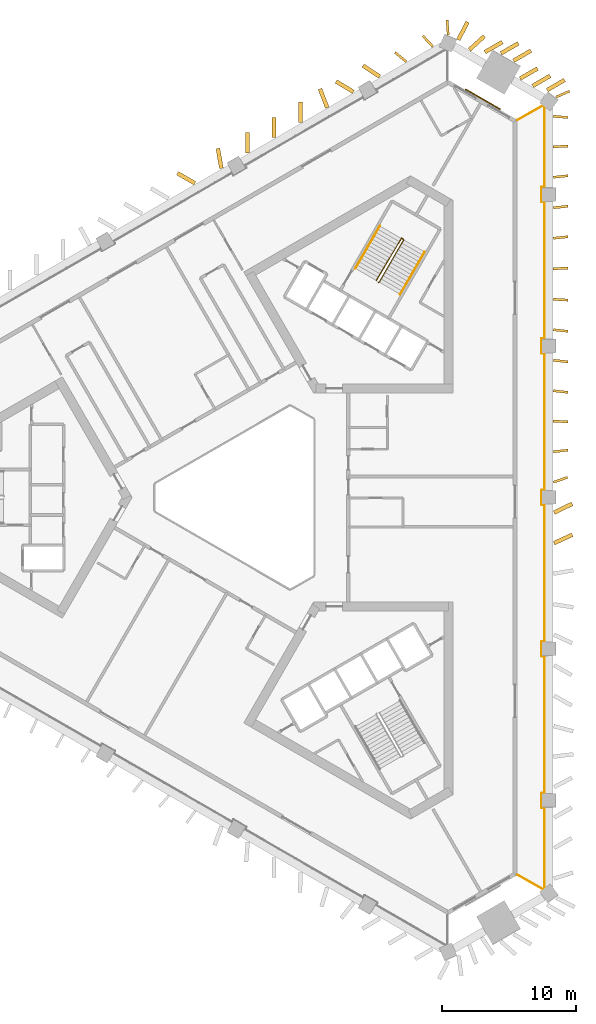
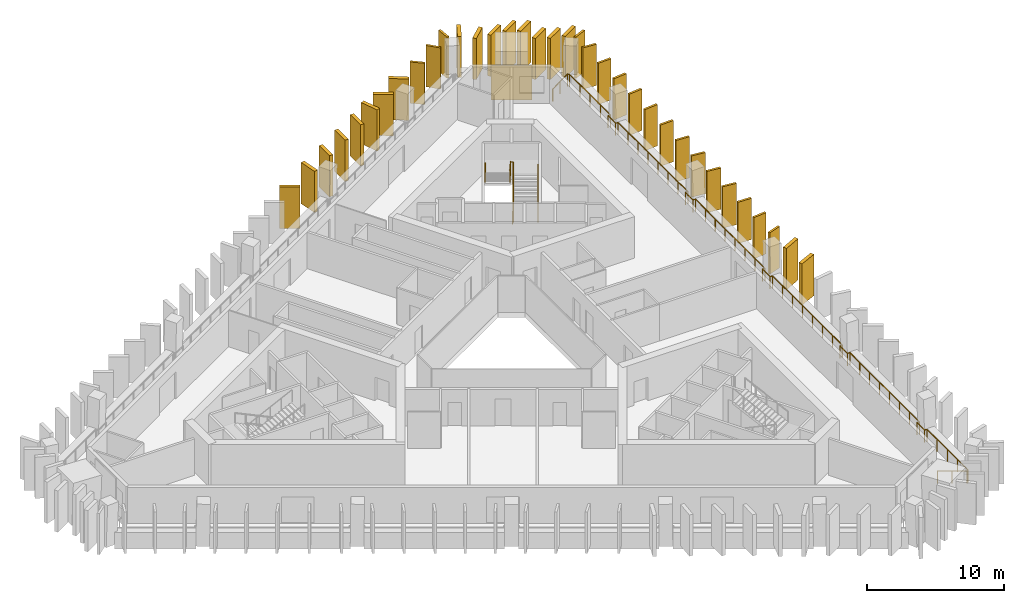
# One storey, part 9 of 9: 35 shading devices, 4 railings, 1 covering.
"""IFC4 building model written with IfcOpenShell, lengths in metres."""

from ifc_helpers import new_model, si_unit, direction, frame, frame_2d, origin, origin_2d, place, context, subcontext, project, spatial, rectangle, circle, extrude, material, layer, layer_set, type_object, element, save


model = new_model("IFC4")

# Units and contexts
model_context = context("Model", 3, precision=1e-05, world=origin(), true_north=direction((0.0, 1.0)))
body_context = subcontext(model_context, "Body", "Model", "MODEL_VIEW")
ifc_project = project(units=[si_unit("LENGTHUNIT", "METRE"), si_unit("AREAUNIT", "SQUARE_METRE"), si_unit("VOLUMEUNIT", "CUBIC_METRE"), si_unit("PLANEANGLEUNIT", "RADIAN"), si_unit("MASSUNIT", "GRAM", prefix="KILO")], contexts=[model_context])

# Site, building, storey
site_placement = place(None, origin())
site = spatial("IfcSite", under=ifc_project, at=site_placement, CompositionType="ELEMENT")
building_placement = place(site_placement, origin())
building = spatial("IfcBuilding", under=site, at=building_placement, Name="Jabali Bay Hotel Tower and Convention Centre", CompositionType="ELEMENT")
storey_placement = place(building_placement, frame((0.0, 0.0, 129.0)))
storey = spatial("IfcBuildingStorey", under=building, at=storey_placement, Name="L31", CompositionType="ELEMENT", Elevation=129.0)

# Railing
ifc_material_1 = material(Name="Glass", Category="glass")
railing_type_1 = type_object("IfcRailingType", Name="Loggia glass guard 1100", PredefinedType="BALUSTRADE", material=ifc_material_1)
railing_1_placement = place(storey_placement, frame((94.701416015625, 108.09716796875, 0.0)))
element("IfcRailing", 1, at=railing_1_placement, inside=storey, type_object=railing_type_1, Name="Loggia glass guard L31", PredefinedType="BALUSTRADE", context=body_context, shape_type="SweptSolid", body=[
    extrude(circle(Radius=0.02490234375, at=origin_2d()), frame((0.0, 0.0, 1.0751953125), z_axis=(0.866027848477, 0.499995765644, 0.0), x_axis=(-0.495718232557, 0.858618860179, 0.13052619222)), (0.0, 0.0, 1.0), 2.1650390625),
    extrude(circle(Radius=0.02490234375, at=origin_2d()), frame((1.875, 1.08251953125, 1.0751953125), z_axis=(0.80150030368, -0.597994367199, 0.0), x_axis=(0.59287844249, 0.794643357473, 0.13052619222)), (0.0, 0.0, 1.0), 0.156005859375),
    extrude(circle(Radius=0.02490234375, at=origin_2d()), frame((2.0, 0.9892578125, 1.0751953125), z_axis=(0.0, -1.0, 0.0), x_axis=(0.991444861374, 0.0, 0.13052619222)), (0.0, 0.0, 1.0), 5.968017578125),
    extrude(circle(Radius=0.02490234375, at=origin_2d()), frame((2.0, -4.978759765625, 1.0751953125), z_axis=(-1.0, 0.0, 0.0), x_axis=(0.0, -0.991444861374, 0.13052619222)), (0.0, 0.0, 1.0), 0.2001953125),
    extrude(circle(Radius=0.02490234375, at=origin_2d()), frame((1.7998046875, -4.978759765625, 1.0751953125), z_axis=(0.0, -1.0, 0.0), x_axis=(0.991444861374, 0.0, 0.13052619222)), (0.0, 0.0, 1.0), 1.099853515625),
    extrude(circle(Radius=0.02490234375, at=origin_2d()), frame((1.7998046875, -6.07861328125, 1.0751953125), z_axis=(1.0, 0.0, 0.0), x_axis=(0.0, 0.991444861374, 0.13052619222)), (0.0, 0.0, 1.0), 0.2001953125),
    extrude(circle(Radius=0.02490234375, at=origin_2d()), frame((2.0, -6.07861328125, 1.0751953125), z_axis=(0.0, -1.0, 0.0), x_axis=(0.991444861374, 0.0, 0.13052619222)), (0.0, 0.0, 1.0), 10.184326171875),
    extrude(circle(Radius=0.02490234375, at=origin_2d()), frame((2.0, -16.262939453125, 1.0751953125), z_axis=(-1.0, 0.0, 0.0), x_axis=(0.0, -0.991444861374, 0.13052619222)), (0.0, 0.0, 1.0), 0.2001953125),
    extrude(circle(Radius=0.02490234375, at=origin_2d()), frame((1.7998046875, -16.262939453125, 1.0751953125), z_axis=(0.0, -1.0, 0.0), x_axis=(0.991444861374, 0.0, 0.13052619222)), (0.0, 0.0, 1.0), 1.099853515625),
    extrude(circle(Radius=0.02490234375, at=origin_2d()), frame((1.7998046875, -17.36279296875, 1.0751953125), z_axis=(1.0, 0.0, 0.0), x_axis=(0.0, 0.991444861374, 0.13052619222)), (0.0, 0.0, 1.0), 0.2001953125),
    extrude(circle(Radius=0.02490234375, at=origin_2d()), frame((2.0, -17.36279296875, 1.0751953125), z_axis=(0.0, -1.0, 0.0), x_axis=(0.991444861374, 0.0, 0.13052619222)), (0.0, 0.0, 1.0), 10.184326171875),
    extrude(circle(Radius=0.02490234375, at=origin_2d()), frame((2.0, -27.547119140625, 1.0751953125), z_axis=(-1.0, 0.0, 0.0), x_axis=(0.0, -0.991444861374, 0.13052619222)), (0.0, 0.0, 1.0), 0.2001953125),
    extrude(circle(Radius=0.02490234375, at=origin_2d()), frame((1.7998046875, -27.547119140625, 1.0751953125), z_axis=(0.0, -1.0, 0.0), x_axis=(0.991444861374, 0.0, 0.13052619222)), (0.0, 0.0, 1.0), 1.10009765625),
    extrude(circle(Radius=0.02490234375, at=origin_2d()), frame((1.7998046875, -28.647216796875, 1.0751953125), z_axis=(1.0, 0.0, 0.0), x_axis=(0.0, 0.991444861374, 0.13052619222)), (0.0, 0.0, 1.0), 0.2001953125),
    extrude(circle(Radius=0.02490234375, at=origin_2d()), frame((2.0, -28.647216796875, 1.0751953125), z_axis=(0.0, -1.0, 0.0), x_axis=(0.991444861374, 0.0, 0.13052619222)), (0.0, 0.0, 1.0), 10.184326171875),
    extrude(circle(Radius=0.02490234375, at=origin_2d()), frame((2.0, -38.83154296875, 1.0751953125), z_axis=(-1.0, 0.0, 0.0), x_axis=(0.0, -0.991444861374, 0.13052619222)), (0.0, 0.0, 1.0), 0.2001953125),
    extrude(circle(Radius=0.02490234375, at=origin_2d()), frame((1.7998046875, -38.83154296875, 1.0751953125), z_axis=(0.0, -1.0, 0.0), x_axis=(0.991444861374, 0.0, 0.13052619222)), (0.0, 0.0, 1.0), 1.099853515625),
    extrude(circle(Radius=0.02490234375, at=origin_2d()), frame((1.7998046875, -39.931396484375, 1.0751953125), z_axis=(1.0, 0.0, 0.0), x_axis=(0.0, 0.991444861374, 0.13052619222)), (0.0, 0.0, 1.0), 0.2001953125),
    extrude(circle(Radius=0.02490234375, at=origin_2d()), frame((2.0, -39.931396484375, 1.0751953125), z_axis=(0.0, -1.0, 0.0), x_axis=(0.991444861374, 0.0, 0.13052619222)), (0.0, 0.0, 1.0), 10.184326171875),
    extrude(circle(Radius=0.02490234375, at=origin_2d()), frame((2.0, -50.11572265625, 1.0751953125), z_axis=(-1.0, 0.0, 0.0), x_axis=(0.0, -0.991444861374, 0.13052619222)), (0.0, 0.0, 1.0), 0.2001953125),
    extrude(circle(Radius=0.02490234375, at=origin_2d()), frame((1.7998046875, -50.11572265625, 1.0751953125), z_axis=(0.0, -1.0, 0.0), x_axis=(0.991444861374, 0.0, 0.13052619222)), (0.0, 0.0, 1.0), 1.099853515625),
    extrude(circle(Radius=0.02490234375, at=origin_2d()), frame((1.7998046875, -51.215576171875, 1.0751953125), z_axis=(1.0, 0.0, 0.0), x_axis=(0.0, 0.991444861374, 0.13052619222)), (0.0, 0.0, 1.0), 0.2001953125),
    extrude(circle(Radius=0.02490234375, at=origin_2d()), frame((2.0, -51.215576171875, 1.0751953125), z_axis=(0.0, -1.0, 0.0), x_axis=(0.991444861374, 0.0, 0.13052619222)), (0.0, 0.0, 1.0), 5.968017578125),
    extrude(circle(Radius=0.02490234375, at=origin_2d()), frame((2.0, -57.18359375, 1.0751953125), z_axis=(-0.80150030368, -0.597994367199, 0.0), x_axis=(0.59287844249, -0.794643357473, 0.13052619222)), (0.0, 0.0, 1.0), 0.156005859375),
    extrude(circle(Radius=0.02490234375, at=origin_2d()), frame((1.875, -57.27685546875, 1.0751953125), z_axis=(-0.866027848477, 0.499995765644, 0.0), x_axis=(-0.495718232557, -0.858618860179, 0.13052619222)), (0.0, 0.0, 1.0), 2.1650390625),
    extrude(circle(Radius=0.02001953125, at=origin_2d()), origin(), (0.0, 0.0, 1.0), 1.050048828125),
    extrude(circle(Radius=0.02001953125, at=origin_2d()), frame((0.9375, 0.541259765625, 0.0)), (0.0, 0.0, 1.0), 1.050048828125),
    extrude(circle(Radius=0.02001953125, at=origin_2d()), frame((1.875, 1.08251953125, 0.0)), (0.0, 0.0, 1.0), 1.050048828125),
    extrude(circle(Radius=0.02001953125, at=origin_2d()), frame((2.0, 0.9892578125, 0.0)), (0.0, 0.0, 1.0), 1.050048828125),
    extrude(circle(Radius=0.02001953125, at=origin_2d()), frame((2.0, -0.502685546875, 0.0)), (0.0, 0.0, 1.0), 1.050048828125),
    extrude(circle(Radius=0.02001953125, at=origin_2d()), frame((2.0, -1.99462890625, 0.0)), (0.0, 0.0, 1.0), 1.050048828125),
    extrude(circle(Radius=0.02001953125, at=origin_2d()), frame((2.0, -3.48681640625, 0.0)), (0.0, 0.0, 1.0), 1.050048828125),
    extrude(circle(Radius=0.02001953125, at=origin_2d()), frame((2.0, -4.978759765625, 0.0)), (0.0, 0.0, 1.0), 1.050048828125),
    extrude(circle(Radius=0.02001953125, at=origin_2d()), frame((1.7998046875, -4.978759765625, 0.0)), (0.0, 0.0, 1.0), 1.050048828125),
    extrude(circle(Radius=0.02001953125, at=origin_2d()), frame((1.7998046875, -6.07861328125, 0.0)), (0.0, 0.0, 1.0), 1.050048828125),
    extrude(circle(Radius=0.02001953125, at=origin_2d()), frame((2.0, -6.07861328125, 0.0)), (0.0, 0.0, 1.0), 1.050048828125),
    extrude(circle(Radius=0.02001953125, at=origin_2d()), frame((2.0, -7.533447265625, 0.0)), (0.0, 0.0, 1.0), 1.050048828125),
    extrude(circle(Radius=0.02001953125, at=origin_2d()), frame((2.0, -8.988525390625, 0.0)), (0.0, 0.0, 1.0), 1.050048828125),
    extrude(circle(Radius=0.02001953125, at=origin_2d()), frame((2.0, -10.443359375, 0.0)), (0.0, 0.0, 1.0), 1.050048828125),
    extrude(circle(Radius=0.02001953125, at=origin_2d()), frame((2.0, -11.898193359375, 0.0)), (0.0, 0.0, 1.0), 1.050048828125),
    extrude(circle(Radius=0.02001953125, at=origin_2d()), frame((2.0, -13.35302734375, 0.0)), (0.0, 0.0, 1.0), 1.050048828125),
    extrude(circle(Radius=0.02001953125, at=origin_2d()), frame((2.0, -14.80810546875, 0.0)), (0.0, 0.0, 1.0), 1.050048828125),
    extrude(circle(Radius=0.02001953125, at=origin_2d()), frame((2.0, -16.262939453125, 0.0)), (0.0, 0.0, 1.0), 1.050048828125),
    extrude(circle(Radius=0.02001953125, at=origin_2d()), frame((1.7998046875, -16.262939453125, 0.0)), (0.0, 0.0, 1.0), 1.050048828125),
    extrude(circle(Radius=0.02001953125, at=origin_2d()), frame((1.7998046875, -17.36279296875, 0.0)), (0.0, 0.0, 1.0), 1.050048828125),
    extrude(circle(Radius=0.02001953125, at=origin_2d()), frame((2.0, -17.36279296875, 0.0)), (0.0, 0.0, 1.0), 1.050048828125),
    extrude(circle(Radius=0.02001953125, at=origin_2d()), frame((2.0, -18.817626953125, 0.0)), (0.0, 0.0, 1.0), 1.050048828125),
    extrude(circle(Radius=0.02001953125, at=origin_2d()), frame((2.0, -20.272705078125, 0.0)), (0.0, 0.0, 1.0), 1.050048828125),
    extrude(circle(Radius=0.02001953125, at=origin_2d()), frame((2.0, -21.7275390625, 0.0)), (0.0, 0.0, 1.0), 1.050048828125),
    extrude(circle(Radius=0.02001953125, at=origin_2d()), frame((2.0, -23.182373046875, 0.0)), (0.0, 0.0, 1.0), 1.050048828125),
    extrude(circle(Radius=0.02001953125, at=origin_2d()), frame((2.0, -24.63720703125, 0.0)), (0.0, 0.0, 1.0), 1.050048828125),
    extrude(circle(Radius=0.02001953125, at=origin_2d()), frame((2.0, -26.09228515625, 0.0)), (0.0, 0.0, 1.0), 1.050048828125),
    extrude(circle(Radius=0.02001953125, at=origin_2d()), frame((2.0, -27.547119140625, 0.0)), (0.0, 0.0, 1.0), 1.050048828125),
    extrude(circle(Radius=0.02001953125, at=origin_2d()), frame((1.7998046875, -27.547119140625, 0.0)), (0.0, 0.0, 1.0), 1.050048828125),
    extrude(circle(Radius=0.02001953125, at=origin_2d()), frame((1.7998046875, -28.647216796875, 0.0)), (0.0, 0.0, 1.0), 1.050048828125),
    extrude(circle(Radius=0.02001953125, at=origin_2d()), frame((2.0, -28.647216796875, 0.0)), (0.0, 0.0, 1.0), 1.050048828125),
    extrude(circle(Radius=0.02001953125, at=origin_2d()), frame((2.0, -30.10205078125, 0.0)), (0.0, 0.0, 1.0), 1.050048828125),
    extrude(circle(Radius=0.02001953125, at=origin_2d()), frame((2.0, -31.55712890625, 0.0)), (0.0, 0.0, 1.0), 1.050048828125),
    extrude(circle(Radius=0.02001953125, at=origin_2d()), frame((2.0, -33.011962890625, 0.0)), (0.0, 0.0, 1.0), 1.050048828125),
    extrude(circle(Radius=0.02001953125, at=origin_2d()), frame((2.0, -34.466796875, 0.0)), (0.0, 0.0, 1.0), 1.050048828125),
    extrude(circle(Radius=0.02001953125, at=origin_2d()), frame((2.0, -35.921630859375, 0.0)), (0.0, 0.0, 1.0), 1.050048828125),
    extrude(circle(Radius=0.02001953125, at=origin_2d()), frame((2.0, -37.376708984375, 0.0)), (0.0, 0.0, 1.0), 1.050048828125),
    extrude(circle(Radius=0.02001953125, at=origin_2d()), frame((2.0, -38.83154296875, 0.0)), (0.0, 0.0, 1.0), 1.050048828125),
    extrude(circle(Radius=0.02001953125, at=origin_2d()), frame((1.7998046875, -38.83154296875, 0.0)), (0.0, 0.0, 1.0), 1.050048828125),
    extrude(circle(Radius=0.02001953125, at=origin_2d()), frame((1.7998046875, -39.931396484375, 0.0)), (0.0, 0.0, 1.0), 1.050048828125),
    extrude(circle(Radius=0.02001953125, at=origin_2d()), frame((2.0, -39.931396484375, 0.0)), (0.0, 0.0, 1.0), 1.050048828125),
    extrude(circle(Radius=0.02001953125, at=origin_2d()), frame((2.0, -41.38623046875, 0.0)), (0.0, 0.0, 1.0), 1.050048828125),
    extrude(circle(Radius=0.02001953125, at=origin_2d()), frame((2.0, -42.84130859375, 0.0)), (0.0, 0.0, 1.0), 1.050048828125),
    extrude(circle(Radius=0.02001953125, at=origin_2d()), frame((2.0, -44.296142578125, 0.0)), (0.0, 0.0, 1.0), 1.050048828125),
    extrude(circle(Radius=0.02001953125, at=origin_2d()), frame((2.0, -45.7509765625, 0.0)), (0.0, 0.0, 1.0), 1.050048828125),
    extrude(circle(Radius=0.02001953125, at=origin_2d()), frame((2.0, -47.205810546875, 0.0)), (0.0, 0.0, 1.0), 1.050048828125),
    extrude(circle(Radius=0.02001953125, at=origin_2d()), frame((2.0, -48.660888671875, 0.0)), (0.0, 0.0, 1.0), 1.050048828125),
    extrude(circle(Radius=0.02001953125, at=origin_2d()), frame((2.0, -50.11572265625, 0.0)), (0.0, 0.0, 1.0), 1.050048828125),
    extrude(circle(Radius=0.02001953125, at=origin_2d()), frame((1.7998046875, -50.11572265625, 0.0)), (0.0, 0.0, 1.0), 1.050048828125),
    extrude(circle(Radius=0.02001953125, at=origin_2d()), frame((1.7998046875, -51.215576171875, 0.0)), (0.0, 0.0, 1.0), 1.050048828125),
    extrude(circle(Radius=0.02001953125, at=origin_2d()), frame((2.0, -51.215576171875, 0.0)), (0.0, 0.0, 1.0), 1.050048828125),
    extrude(circle(Radius=0.02001953125, at=origin_2d()), frame((2.0, -52.70751953125, 0.0)), (0.0, 0.0, 1.0), 1.050048828125),
    extrude(circle(Radius=0.02001953125, at=origin_2d()), frame((2.0, -54.19970703125, 0.0)), (0.0, 0.0, 1.0), 1.050048828125),
    extrude(circle(Radius=0.02001953125, at=origin_2d()), frame((2.0, -55.691650390625, 0.0)), (0.0, 0.0, 1.0), 1.050048828125),
    extrude(circle(Radius=0.02001953125, at=origin_2d()), frame((2.0, -57.18359375, 0.0)), (0.0, 0.0, 1.0), 1.050048828125),
    extrude(circle(Radius=0.02001953125, at=origin_2d()), frame((1.875, -57.27685546875, 0.0)), (0.0, 0.0, 1.0), 1.050048828125),
    extrude(circle(Radius=0.02001953125, at=origin_2d()), frame((0.9375, -56.735595703125, 0.0)), (0.0, 0.0, 1.0), 1.050048828125),
    extrude(circle(Radius=0.02001953125, at=origin_2d()), frame((0.0, -56.1943359375, 0.0)), (0.0, 0.0, 1.0), 1.050048828125),
])

# Shading devices
ifc_material_2 = material(Name="Precast concrete C60", Category="concrete")
ifc_layer_1 = layer(ifc_material_2, 0.179931640625)
ifc_layer_set_1 = layer_set([ifc_layer_1], Name="Precast concrete C60")
shading_device_type_1 = type_object("IfcShadingDeviceType", Name="Precast fin 3680 x 1100", PredefinedType="USERDEFINED", material=ifc_layer_set_1)
for number, where, z_axis, x_axis, name in (
    (2, (97.37353515625, 81.135009765625, 0.010009765625), (0.0, 0.0, 1.0), (0.943570780622, 0.331170925591, 0.0), "Fin L31 013"),
    (3, (97.35302734375, 83.4052734375, 0.010009765625), (0.0, 0.0, 1.0), (0.994590258328, 0.103875974313, 0.0), "Fin L31 014"),
):
    element("IfcShadingDevice", number, at=place(storey_placement, frame(where, z_axis=z_axis, x_axis=x_axis)), inside=storey, type_object=shading_device_type_1, Name=name, ObjectType="FIN", PredefinedType="USERDEFINED", context=body_context, shape_type="SweptSolid", body=[
        extrude(rectangle(XDim=1.099853515625, YDim=0.179931640625, at=frame_2d((0.5498046875, 0.0))), origin(), (0.0, 0.0, 1.0), 3.679931640625),
    ])
shading_device_1_placement = place(storey_placement, frame((97.346923828125, 85.67529296875, 0.010009765625), z_axis=(0.0, 0.0, 1.0), x_axis=(0.999361439982, -0.035731110779, 0.0)))
element("IfcShadingDevice", 4, at=shading_device_1_placement, inside=storey, type_object=shading_device_type_1, Name="Fin L31 015", ObjectType="FIN", PredefinedType="USERDEFINED", context=body_context, shape_type="SweptSolid", body=[
    extrude(rectangle(XDim=1.10009765625, YDim=0.179931640625, at=frame_2d((0.550048828125, 0.0))), origin(), (0.0, 0.0, 1.0), 3.679931640625),
])
shading_device_2_placement = place(storey_placement, frame((97.353759765625, 87.9453125, 0.010009765625), z_axis=(0.0, 0.0, 1.0), x_axis=(0.993698292837, -0.112087924477, 0.0)))
element("IfcShadingDevice", 5, at=shading_device_2_placement, inside=storey, type_object=shading_device_type_1, Name="Fin L31 016", ObjectType="FIN", PredefinedType="USERDEFINED", context=body_context, shape_type="SweptSolid", body=[
    extrude(rectangle(XDim=1.099853515625, YDim=0.179931640625, at=frame_2d((0.5498046875, 0.0))), origin(), (0.0, 0.0, 1.0), 3.679931640625),
])
for number, where, z_axis, x_axis, name in (
    (6, (97.353515625, 90.215576171875, 0.010009765625), (0.0, 0.0, 1.0), (0.993948512931, -0.109846955548, 0.0), "Fin L31 017"),
    (7, (97.353271484375, 92.485595703125, 0.010009765625), (0.0, 0.0, 1.0), (0.99430915392, -0.106533123634, 0.0), "Fin L31 018"),
):
    element("IfcShadingDevice", number, at=place(storey_placement, frame(where, z_axis=z_axis, x_axis=x_axis)), inside=storey, type_object=shading_device_type_1, Name=name, ObjectType="FIN", PredefinedType="USERDEFINED", context=body_context, shape_type="SweptSolid", body=[
        extrude(rectangle(XDim=1.10009765625, YDim=0.179931640625, at=frame_2d((0.550048828125, 0.0))), origin(), (0.0, 0.0, 1.0), 3.679931640625),
    ])
shading_device_3_placement = place(storey_placement, frame((97.34912109375, 94.755859375, 0.010009765625), z_axis=(0.0, 0.0, 1.0), x_axis=(0.998202455987, -0.059932102094, 0.0)))
element("IfcShadingDevice", 8, at=shading_device_3_placement, inside=storey, type_object=shading_device_type_1, Name="Fin L31 019", ObjectType="FIN", PredefinedType="USERDEFINED", context=body_context, shape_type="SweptSolid", body=[
    extrude(rectangle(XDim=1.099853515625, YDim=0.179931640625, at=frame_2d((0.5498046875, 0.0))), origin(), (0.0, 0.0, 1.0), 3.679931640625),
])
for number, where, z_axis, x_axis, name in (
    (9, (97.347412109375, 97.02587890625, 0.010009765625), (0.0, 0.0, 1.0), (0.999192783426, 0.0401719, 0.0), "Fin L31 020"),
    (10, (97.35302734375, 99.2958984375, 0.010009765625), (0.0, 0.0, 1.0), (0.994498153958, 0.104754101466, 0.0), "Fin L31 021"),
    (11, (97.35302734375, 101.566162109375, 0.010009765625), (0.0, 0.0, 1.0), (0.994498153958, 0.104754101466, 0.0), "Fin L31 022"),
    (12, (97.35302734375, 103.836181640625, 0.010009765625), (0.0, 0.0, 1.0), (0.994498153958, 0.104754101466, 0.0), "Fin L31 023"),
    (13, (97.347900390625, 106.1064453125, 0.010009765625), (0.0, 0.0, 1.0), (0.998933934873, 0.046162687948, 0.0), "Fin L31 024"),
):
    element("IfcShadingDevice", number, at=place(storey_placement, frame(where, z_axis=z_axis, x_axis=x_axis)), inside=storey, type_object=shading_device_type_1, Name=name, ObjectType="FIN", PredefinedType="USERDEFINED", context=body_context, shape_type="SweptSolid", body=[
        extrude(rectangle(XDim=1.10009765625, YDim=0.179931640625, at=frame_2d((0.550048828125, 0.0))), origin(), (0.0, 0.0, 1.0), 3.679931640625),
    ])
shading_device_4_placement = place(storey_placement, frame((97.35107421875, 108.37646484375, 0.010009765625), z_axis=(0.0, 0.0, 1.0), x_axis=(0.996712111615, -0.081024481234, 0.0)))
element("IfcShadingDevice", 14, at=shading_device_4_placement, inside=storey, type_object=shading_device_type_1, Name="Fin L31 025", ObjectType="FIN", PredefinedType="USERDEFINED", context=body_context, shape_type="SweptSolid", body=[
    extrude(rectangle(XDim=1.099853515625, YDim=0.179931640625, at=frame_2d((0.5498046875, 0.0))), origin(), (0.0, 0.0, 1.0), 3.679931640625),
])
shading_device_5_placement = place(storey_placement, frame((88.392822265625, 113.555908203125, 0.010009765625), z_axis=(0.0, 0.0, 1.0), x_axis=(-0.681811991259, 0.731527448955, 0.0)))
element("IfcShadingDevice", 15, at=shading_device_5_placement, inside=storey, type_object=shading_device_type_1, Name="Fin L31 034", ObjectType="FIN", PredefinedType="USERDEFINED", context=body_context, shape_type="SweptSolid", body=[
    extrude(rectangle(XDim=1.10009765625, YDim=0.179931640625, at=frame_2d((0.550048828125, 0.0))), origin(), (0.0, 0.0, 1.0), 3.679931640625),
])
shading_device_6_placement = place(storey_placement, frame((86.421142578125, 112.4306640625, 0.010009765625), z_axis=(0.0, 0.0, 1.0), x_axis=(-0.770563496864, 0.637363238115, 0.0)))
element("IfcShadingDevice", 16, at=shading_device_6_placement, inside=storey, type_object=shading_device_type_1, Name="Fin L31 035", ObjectType="FIN", PredefinedType="USERDEFINED", context=body_context, shape_type="SweptSolid", body=[
    extrude(rectangle(XDim=1.099609375, YDim=0.179931640625, at=frame_2d((0.5498046875, 0.0))), origin(), (0.0, 0.0, 1.0), 3.679931640625),
])
shading_device_7_placement = place(storey_placement, frame((97.563720703125, 109.807373046875, 0.010009765625), z_axis=(0.0, 0.0, 1.0), x_axis=(0.914277759988, 0.405087864039, 0.0)))
element("IfcShadingDevice", 17, at=shading_device_7_placement, inside=storey, type_object=shading_device_type_1, Name="Fin L31 103", ObjectType="FIN", PredefinedType="USERDEFINED", context=body_context, shape_type="SweptSolid", body=[
    extrude(rectangle(XDim=1.099853515625, YDim=0.179931640625, at=frame_2d((0.5498046875, 0.0))), origin(), (0.0, 0.0, 1.0), 3.679931640625),
])
shading_device_8_placement = place(storey_placement, frame((89.5322265625, 114.44189453125, 0.010009765625), z_axis=(0.0, 0.0, 1.0), x_axis=(-0.0770019446, 0.997030942613, 0.0)))
element("IfcShadingDevice", 18, at=shading_device_8_placement, inside=storey, type_object=shading_device_type_1, Name="Fin L31 104", ObjectType="FIN", PredefinedType="USERDEFINED", context=body_context, shape_type="SweptSolid", body=[
    extrude(rectangle(XDim=1.10009765625, YDim=0.179931640625, at=frame_2d((0.550048828125, 0.0))), origin(), (0.0, 0.0, 1.0), 3.679931640625),
])
ifc_layer_2 = layer(ifc_material_2, 0.300048828125)
ifc_layer_set_2 = layer_set([ifc_layer_2], Name="Precast concrete C60")
shading_device_type_2 = type_object("IfcShadingDeviceType", Name="Precast fin 3680 x 1500", PredefinedType="USERDEFINED", material=ifc_layer_set_2)
shading_device_9_placement = place(storey_placement, frame((97.40625, 76.5947265625, 0.010009765625), z_axis=(0.0, 0.0, 1.0), x_axis=(0.908563345674, 0.417747108785, 0.0)))
element("IfcShadingDevice", 19, at=shading_device_9_placement, inside=storey, type_object=shading_device_type_2, Name="Fin L31 011", ObjectType="FIN", PredefinedType="USERDEFINED", context=body_context, shape_type="SweptSolid", body=[
    extrude(rectangle(XDim=1.500244140625, YDim=0.300048828125, at=frame_2d((0.75, 0.0))), origin(), (0.0, 0.0, 1.0), 3.679931640625),
])
for number, where, z_axis, x_axis, name in (
    (20, (97.40966796875, 78.864990234375, 0.010009765625), (0.0, 0.0, 1.0), (0.898331546391, 0.439318145264, 0.0), "Fin L31 012"),
    (21, (96.894775390625, 110.32568359375, 0.010009765625), (0.0, 0.0, 1.0), (0.864898360543, 0.501947034986, 0.0), "Fin L31 026"),
    (22, (95.822265625, 110.638671875, 0.010009765625), (0.0, 0.0, 1.0), (0.864898360543, 0.501947034986, 0.0), "Fin L31 027"),
    (23, (94.88232421875, 111.18115234375, 0.010009765625), (0.0, 0.0, 1.0), (0.864898360543, 0.501947034986, 0.0), "Fin L31 028"),
    (24, (94.398681640625, 112.51416015625, 0.010009765625), (0.0, 0.0, 1.0), (0.864898360543, 0.501947034986, 0.0), "Fin L31 029"),
    (25, (93.458740234375, 113.056640625, 0.010009765625), (0.0, 0.0, 1.0), (0.864898360543, 0.501947034986, 0.0), "Fin L31 030"),
    (26, (92.259521484375, 113.150146484375, 0.010009765625), (0.0, 0.0, 1.0), (0.864898360543, 0.501947034986, 0.0), "Fin L31 031"),
    (27, (91.10791015625, 113.326171875, 0.010009765625), (0.0, 0.0, 1.0), (0.737512131303, 0.675333884965, 0.0), "Fin L31 032"),
):
    element("IfcShadingDevice", number, at=place(storey_placement, frame(where, z_axis=z_axis, x_axis=x_axis)), inside=storey, type_object=shading_device_type_2, Name=name, ObjectType="FIN", PredefinedType="USERDEFINED", context=body_context, shape_type="SweptSolid", body=[
        extrude(rectangle(XDim=1.5, YDim=0.300048828125, at=frame_2d((0.75, 0.0))), origin(), (0.0, 0.0, 1.0), 3.679931640625),
    ])
shading_device_10_placement = place(storey_placement, frame((90.281982421875, 114.066162109375, 0.010009765625), z_axis=(0.0, 0.0, 1.0), x_axis=(0.461803701652, 0.886982153789, 0.0)))
element("IfcShadingDevice", 28, at=shading_device_10_placement, inside=storey, type_object=shading_device_type_2, Name="Fin L31 033", ObjectType="FIN", PredefinedType="USERDEFINED", context=body_context, shape_type="SweptSolid", body=[
    extrude(rectangle(XDim=1.499755859375, YDim=0.300048828125, at=frame_2d((0.75, 0.0))), origin(), (0.0, 0.0, 1.0), 3.679931640625),
])
for number, where, z_axis, x_axis, name in (
    (29, (84.4375, 111.326171875, 0.010009765625), (0.0, 0.0, 1.0), (-0.833225381816, 0.552933506941, 0.0), "Fin L31 036"),
    (30, (82.46875, 110.196044921875, 0.010009765625), (0.0, 0.0, 1.0), (-0.856428387714, 0.516265839192, 0.0), "Fin L31 037"),
    (31, (80.52734375, 109.018310546875, 0.010009765625), (0.0, 0.0, 1.0), (-0.360025889068, 0.932942312901, 0.0), "Fin L31 038"),
    (32, (78.53564453125, 107.927734375, 0.010009765625), (0.0, 0.0, 1.0), (-0.003255191087, 0.999994701851, 0.0), "Fin L31 039"),
    (33, (76.569580078125, 106.792724609375, 0.010009765625), (0.0, 0.0, 1.0), (-0.002441398974, 0.999997019781, 0.0), "Fin L31 040"),
    (34, (74.603759765625, 105.65771484375, 0.010009765625), (0.0, 0.0, 1.0), (-0.002441398974, 0.999997019781, 0.0), "Fin L31 041"),
):
    element("IfcShadingDevice", number, at=place(storey_placement, frame(where, z_axis=z_axis, x_axis=x_axis)), inside=storey, type_object=shading_device_type_2, Name=name, ObjectType="FIN", PredefinedType="USERDEFINED", context=body_context, shape_type="SweptSolid", body=[
        extrude(rectangle(XDim=1.5, YDim=0.300048828125, at=frame_2d((0.75, 0.0))), origin(), (0.0, 0.0, 1.0), 3.679931640625),
    ])
shading_device_11_placement = place(storey_placement, frame((72.649658203125, 104.501953125, 0.010009765625), z_axis=(0.0, 0.0, 1.0), x_axis=(-0.178083190475, 0.984015435484, 0.0)))
element("IfcShadingDevice", 35, at=shading_device_11_placement, inside=storey, type_object=shading_device_type_2, Name="Fin L31 042", ObjectType="FIN", PredefinedType="USERDEFINED", context=body_context, shape_type="SweptSolid", body=[
    extrude(rectangle(XDim=1.499755859375, YDim=0.300048828125, at=frame_2d((0.75, 0.0))), origin(), (0.0, 0.0, 1.0), 3.679931640625),
])
shading_device_12_placement = place(storey_placement, frame((70.671630859375, 103.3876953125, 0.010009765625), z_axis=(0.0, 0.0, 1.0), x_axis=(-0.864898360543, 0.501947034986, 0.0)))
element("IfcShadingDevice", 36, at=shading_device_12_placement, inside=storey, type_object=shading_device_type_2, Name="Fin L31 043", ObjectType="FIN", PredefinedType="USERDEFINED", context=body_context, shape_type="SweptSolid", body=[
    extrude(rectangle(XDim=1.5, YDim=0.300048828125, at=frame_2d((0.75, 0.0))), origin(), (0.0, 0.0, 1.0), 3.679931640625),
])

# Covering
ifc_material_3 = material(Name="Precast concrete C40/50", Category="concrete")
ifc_layer_3 = layer(ifc_material_3, 0.080078125)
ifc_layer_set_3 = layer_set([ifc_layer_3], Name="Precast concrete C40/50")
covering_type = type_object("IfcCoveringType", Name="Relief panel 3000 x 3050", PredefinedType="CLADDING", material=ifc_layer_set_3)
covering_placement = place(storey_placement, frame((92.11181640625, 109.638427734375, 0.10009765625), z_axis=(0.0, 0.0, 1.0), x_axis=(0.866025434197, -0.499999947324, 0.0)))
element("IfcCovering", 37, at=covering_placement, inside=storey, type_object=covering_type, Name="Relief panel L31", PredefinedType="CLADDING", context=body_context, shape_type="SweptSolid", body=[
    extrude(rectangle(XDim=3.0, YDim=0.080078125, at=origin_2d()), origin(), (0.0, 0.0, 1.0), 3.050048828125),
])

# Railings
ifc_material_4 = material(Name="Steel Q355B", Category="steel")
railing_type_2 = type_object("IfcRailingType", Name="Stair guard 1100", PredefinedType="GUARDRAIL", material=ifc_material_4)
railing_2_placement = place(storey_placement, frame((84.329833984375, 96.010009765625, 0.0)))
element("IfcRailing", 38, at=railing_2_placement, inside=storey, type_object=railing_type_2, Name="L31 ST2 stair guard 1", PredefinedType="GUARDRAIL", context=body_context, shape_type="SweptSolid", body=[
    extrude(circle(Radius=0.02392578125, at=origin_2d()), frame((0.0, 0.0, 1.076171875), z_axis=(0.456201556387, 0.122196845461, 0.881446578591), x_axis=(-0.258736085224, 0.965948051503, 0.0)), (0.0, 0.0, 1.0), 0.14990234375),
    extrude(circle(Radius=0.02392578125, at=origin_2d()), frame((0.068359375, 0.018310546875, 1.2080078125), z_axis=(0.45217862506, 0.783169739339, 0.426825081763), x_axis=(-0.866018046521, 0.500012742938, 0.0)), (0.0, 0.0, 1.0), 4.025146484375),
    extrude(circle(Radius=0.02392578125, at=origin_2d()), frame((1.888427734375, 3.170654296875, 2.92626953125), z_axis=(-0.718850276695, 0.695164929852, 0.0), x_axis=(-0.695164929852, -0.718850276695, 0.0)), (0.0, 0.0, 1.0), 0.2060546875),
    extrude(circle(Radius=0.02392578125, at=origin_2d()), frame((1.740234375, 3.31396484375, 2.92626953125), z_axis=(-0.457457462341, -0.768067235091, 0.448113147015), x_axis=(0.859157857954, -0.511710636118, 0.0)), (0.0, 0.0, 1.0), 4.128173828125),
    extrude(circle(Radius=0.02099609375, at=origin_2d()), origin(), (0.0, 0.0, 1.0), 1.052001953125),
    extrude(circle(Radius=0.02099609375, at=origin_2d()), frame((0.068359375, 0.018310546875, 0.132080078125)), (0.0, 0.0, 1.0), 1.052001953125),
    extrude(circle(Radius=0.02099609375, at=origin_2d()), frame((0.5234375, 0.806396484375, 0.5615234375)), (0.0, 0.0, 1.0), 1.052001953125),
    extrude(circle(Radius=0.02099609375, at=origin_2d()), frame((0.978515625, 1.594482421875, 0.9912109375)), (0.0, 0.0, 1.0), 1.052001953125),
    extrude(circle(Radius=0.02099609375, at=origin_2d()), frame((1.433349609375, 2.382568359375, 1.420654296875)), (0.0, 0.0, 1.0), 1.052001953125),
    extrude(circle(Radius=0.02099609375, at=origin_2d()), frame((1.888427734375, 3.170654296875, 1.85009765625)), (0.0, 0.0, 1.0), 1.052001953125),
    extrude(circle(Radius=0.02099609375, at=origin_2d()), frame((1.740234375, 3.31396484375, 1.85009765625)), (0.0, 0.0, 1.0), 1.052001953125),
    extrude(circle(Radius=0.02099609375, at=origin_2d()), frame((1.26806640625, 2.521240234375, 2.3125)), (0.0, 0.0, 1.0), 1.052001953125),
    extrude(circle(Radius=0.02099609375, at=origin_2d()), frame((0.7958984375, 1.728515625, 2.77490234375)), (0.0, 0.0, 1.0), 1.052001953125),
    extrude(circle(Radius=0.02099609375, at=origin_2d()), frame((0.323974609375, 0.93603515625, 3.237548828125)), (0.0, 0.0, 1.0), 1.052001953125),
    extrude(circle(Radius=0.02099609375, at=origin_2d()), frame((-0.148193359375, 0.143310546875, 3.699951171875)), (0.0, 0.0, 1.0), 1.052001953125),
])
railing_type_3 = type_object("IfcRailingType", Name="Stair handrail 900", PredefinedType="HANDRAIL", material=ifc_material_4)
railing_3_placement = place(storey_placement, frame((85.95703125, 95.128173828125, 0.132080078125)))
element("IfcRailing", 39, at=railing_3_placement, inside=storey, type_object=railing_type_3, Name="L31 ST2 stair handrail 1", PredefinedType="HANDRAIL", context=body_context, shape_type="SweptSolid", body=[
    extrude(circle(Radius=0.02392578125, at=origin_2d()), frame((0.0, 0.0, 0.8759765625), z_axis=(0.45217862506, 0.783169739339, 0.426825081763), x_axis=(-0.866018046521, 0.500012742938, 0.0)), (0.0, 0.0, 1.0), 4.025146484375),
    extrude(circle(Radius=0.02099609375, at=origin_2d()), origin(), (0.0, 0.0, 1.0), 0.851806640625),
    extrude(circle(Radius=0.02099609375, at=origin_2d()), frame((0.455078125, 0.7880859375, 0.429443359375)), (0.0, 0.0, 1.0), 0.851806640625),
    extrude(circle(Radius=0.02099609375, at=origin_2d()), frame((0.91015625, 1.576171875, 0.85888671875)), (0.0, 0.0, 1.0), 0.851806640625),
    extrude(circle(Radius=0.02099609375, at=origin_2d()), frame((1.364990234375, 2.3642578125, 1.28857421875)), (0.0, 0.0, 1.0), 0.851806640625),
    extrude(circle(Radius=0.02099609375, at=origin_2d()), frame((1.820068359375, 3.15234375, 1.718017578125)), (0.0, 0.0, 1.0), 0.851806640625),
])
railing_4_placement = place(storey_placement, frame((84.44287109375, 100.20556640625, 1.982177734375)))
element("IfcRailing", 40, at=railing_4_placement, inside=storey, type_object=railing_type_3, Name="L31 ST2 stair handrail 2", PredefinedType="HANDRAIL", context=body_context, shape_type="SweptSolid", body=[
    extrude(circle(Radius=0.02392578125, at=origin_2d()), frame((0.0, 0.0, 0.8759765625), z_axis=(-0.452190331055, -0.783190014029, 0.426775475427), x_axis=(0.866018046521, -0.500012742938, 0.0)), (0.0, 0.0, 1.0), 4.02490234375),
    extrude(circle(Radius=0.02099609375, at=origin_2d()), origin(), (0.0, 0.0, 1.0), 0.851806640625),
    extrude(circle(Radius=0.02099609375, at=origin_2d()), frame((-0.455078125, -0.7880859375, 0.429443359375)), (0.0, 0.0, 1.0), 0.851806640625),
    extrude(circle(Radius=0.02099609375, at=origin_2d()), frame((-0.91015625, -1.576171875, 0.85888671875)), (0.0, 0.0, 1.0), 0.851806640625),
    extrude(circle(Radius=0.02099609375, at=origin_2d()), frame((-1.364990234375, -2.3642578125, 1.288330078125)), (0.0, 0.0, 1.0), 0.851806640625),
    extrude(circle(Radius=0.02099609375, at=origin_2d()), frame((-1.820068359375, -3.15234375, 1.7177734375)), (0.0, 0.0, 1.0), 0.851806640625),
])

save(model, "model.ifc")
